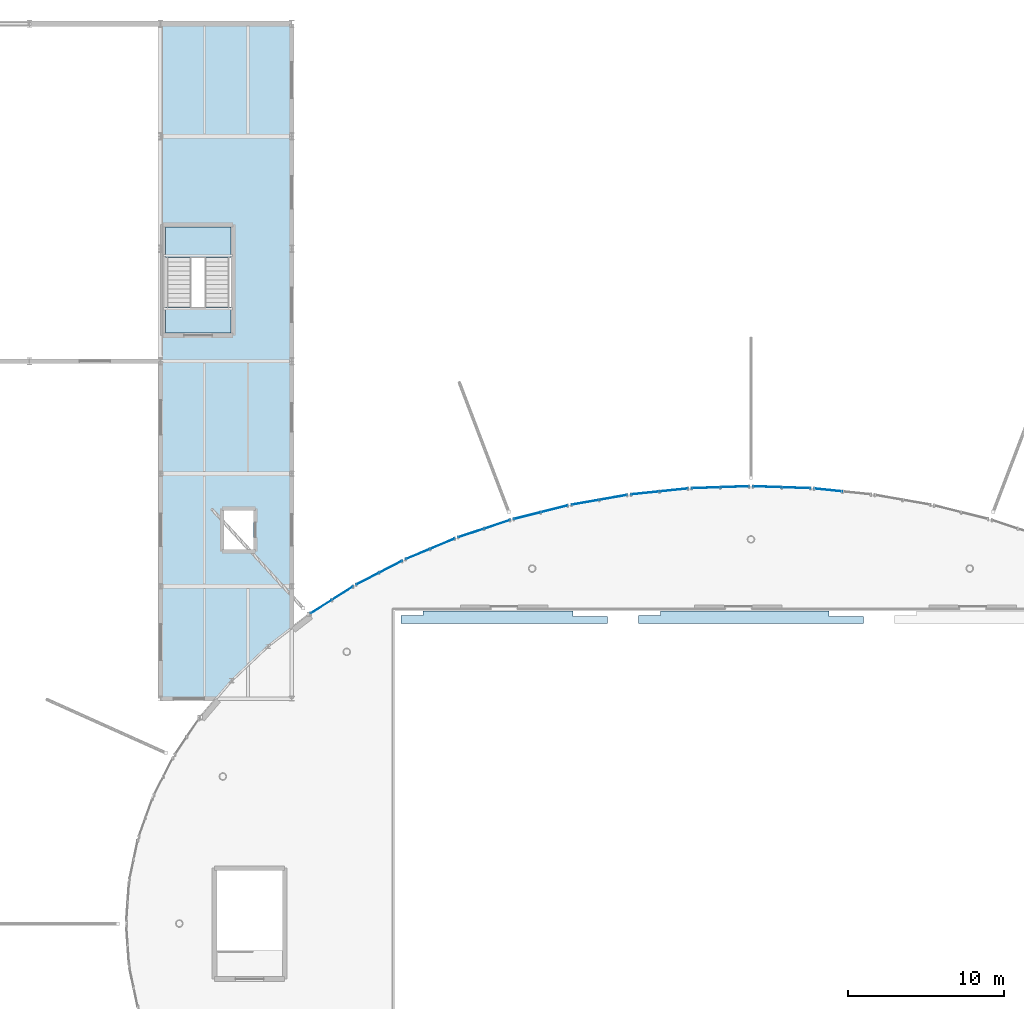
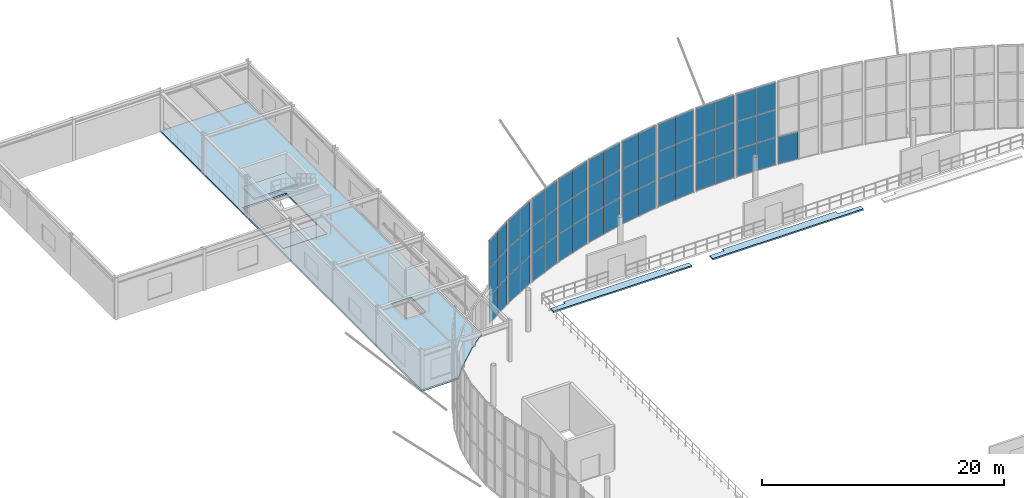
# One storey, part 51 of 109: 55 plates, 5 slabs, 11 elements without a shape of their own.
"""IFC4 building model written with IfcOpenShell, lengths in metres."""

import ifcopenshell
import ifcopenshell.guid

model = None  # the IFC model being written
_history = None  # IfcOwnerHistory: only IFC2X3 demands one
_inside = {}  # id of a spatial element -> (the spatial element, [elements in it])
_under = {}  # id of a project, library or spatial element -> (it, [spatial elements below it])
_declared = {}  # id of a project -> (the project, [libraries it declares])
_typed = {}  # id of a type object -> (the type object, [elements of that type])
_made_of = {}  # id of a material, layer set ... -> (it, [elements and type objects made of it])


def new_model(schema):
    """Start an empty IFC model of exactly this schema.

    Asked for "IFC4X3", IfcOpenShell would pick the latest addendum, in which some entities
    have other attributes; the version numbers below select the first issue.
    IFC2X3 requires an IfcOwnerHistory on every rooted entity: one is made here for all.
    """
    global model, _history
    if schema == "IFC4X3":
        model = ifcopenshell.file(schema_version=(4, 3, 0, 0))
    else:
        model = ifcopenshell.file(schema=schema)
    _inside.clear()
    _under.clear()
    _declared.clear()
    _typed.clear()
    _made_of.clear()
    _history = None
    if model.schema == "IFC2X3":
        org = make("IfcOrganization", Name="unknown")
        user = make(
            "IfcPersonAndOrganization",
            ThePerson=make("IfcPerson", FamilyName="unknown"),
            TheOrganization=org,
        )
        app = make(
            "IfcApplication",
            ApplicationDeveloper=org,
            Version="unknown",
            ApplicationFullName="unknown",
            ApplicationIdentifier="unknown",
        )
        _history = make(
            "IfcOwnerHistory",
            OwningUser=user,
            OwningApplication=app,
            ChangeAction="ADDED",
            CreationDate=0,
        )
    return model


def make(cls, **values):
    """One entity of the class cls with the attributes given. An attribute that is None is left unset."""
    return model.create_entity(
        cls, **{name: value for name, value in values.items() if value is not None}
    )


def rooted(cls, **values):
    """An entity with a GlobalId (a new one), such as an element, a storey or a relation."""
    return make(cls, GlobalId=ifcopenshell.guid.new(), OwnerHistory=_history, **values)


def si_unit(unit_type, name, prefix=None):
    """IfcSIUnit, for example si_unit("LENGTHUNIT", "METRE", prefix="MILLI")."""
    return make("IfcSIUnit", UnitType=unit_type, Prefix=prefix, Name=name)


def derived_unit(unit_type, elements):
    """IfcDerivedUnit: a product of units, each with its exponent."""
    return make(
        "IfcDerivedUnit",
        Elements=[
            make("IfcDerivedUnitElement", Unit=unit, Exponent=power)
            for unit, power in elements
        ],
        UnitType=unit_type,
    )


def assignment(units):
    """IfcUnitAssignment: the units of a project."""
    return None if units is None else make("IfcUnitAssignment", Units=units)


def point(xyz):
    """IfcCartesianPoint."""
    return None if xyz is None else make("IfcCartesianPoint", Coordinates=xyz)


def direction(xyz):
    """IfcDirection."""
    return None if xyz is None else make("IfcDirection", DirectionRatios=xyz)


def frame(location, z_axis=None, x_axis=None):
    """IfcAxis2Placement3D, a coordinate frame: its origin and axes. An axis left out is left unset."""
    return make(
        "IfcAxis2Placement3D",
        Location=point(location),
        Axis=direction(z_axis),
        RefDirection=direction(x_axis),
    )


def frame_2d(location, x_axis=None):
    """IfcAxis2Placement2D, a coordinate frame in the plane: its origin and x axis."""
    return make(
        "IfcAxis2Placement2D", Location=point(location), RefDirection=direction(x_axis)
    )


def origin():
    """The frame at (0, 0, 0) with its axes left unset."""
    return frame((0.0, 0.0, 0.0))


def origin_2d():
    """The frame at (0, 0) in the plane with its x axis left unset."""
    return frame_2d((0.0, 0.0))


def place(relative_to, where):
    """IfcLocalPlacement: puts the frame where relative to a parent placement (None: the world)."""
    return make(
        "IfcLocalPlacement", PlacementRelTo=relative_to, RelativePlacement=where
    )


def context(
    kind, dimensions, precision=None, world=None, true_north=None, identifier=None
):
    """IfcGeometricRepresentationContext, for example the 3D "Model" context."""
    return make(
        "IfcGeometricRepresentationContext",
        ContextIdentifier=identifier,
        ContextType=kind,
        CoordinateSpaceDimension=dimensions,
        Precision=precision,
        WorldCoordinateSystem=world,
        TrueNorth=true_north,
    )


def subcontext(parent, identifier, kind, view, scale=None):
    """IfcGeometricRepresentationSubContext, for example "Body" below "Model"."""
    return make(
        "IfcGeometricRepresentationSubContext",
        ContextIdentifier=identifier,
        ContextType=kind,
        ParentContext=parent,
        TargetScale=scale,
        TargetView=view,
    )


def project(units=None, contexts=None):
    """IfcProject with its units and contexts."""
    return rooted(
        "IfcProject",
        Name="project",
        RepresentationContexts=contexts,
        UnitsInContext=assignment(units),
    )


def spatial(cls, under=None, at=None, **own):
    """A site, building, storey or space (cls), placed at a placement, below another one or the project."""
    s = rooted(cls, ObjectPlacement=at, **own)
    if under is not None:
        _under.setdefault(under.id(), (under, []))[1].append(s)
    return s


def polyline(points):
    """IfcPolyline through the points."""
    return make("IfcPolyline", Points=[point(p) for p in points])


def profile(cls, at=None, kind="AREA", **sizes):
    """A parametric profile (cls). Its sizes go by their IFC names, for example OverallWidth=200.0."""
    return make(cls, ProfileType=kind, Position=at, **sizes)


def rectangle(**sizes):
    """IfcRectangleProfileDef."""
    return profile("IfcRectangleProfileDef", **sizes)


def outline(outer, holes=None, kind="AREA"):
    """IfcArbitraryClosedProfileDef: a profile drawn as a closed curve; with holes, ...WithVoids."""
    if holes is None:
        return make("IfcArbitraryClosedProfileDef", ProfileType=kind, OuterCurve=outer)
    return make(
        "IfcArbitraryProfileDefWithVoids",
        ProfileType=kind,
        OuterCurve=outer,
        InnerCurves=holes,
    )


def extrude(swept, where, along, depth):
    """IfcExtrudedAreaSolid: the profile swept, set in the frame where, extruded along a direction by depth."""
    return make(
        "IfcExtrudedAreaSolid",
        SweptArea=swept,
        Position=where,
        ExtrudedDirection=direction(along),
        Depth=depth,
    )


def shape(context_of_items, identifier, shape_type, items):
    """IfcShapeRepresentation: the items that make up one representation, for example the "Body"."""
    return make(
        "IfcShapeRepresentation",
        ContextOfItems=context_of_items,
        RepresentationIdentifier=identifier,
        RepresentationType=shape_type,
        Items=items,
    )


def material(Name=None, Category=None):
    """IfcMaterial."""
    return make("IfcMaterial", Name=Name, Category=Category)


def layer(
    of_material, thickness, ventilated=None, Name=None, Category=None, Priority=None
):
    """IfcMaterialLayer: one layer of a wall or slab, of a material (None: an air gap)."""
    return make(
        "IfcMaterialLayer",
        Material=of_material,
        LayerThickness=thickness,
        IsVentilated=ventilated,
        Name=Name,
        Category=Category,
        Priority=Priority,
    )


def layer_set(layers, Name=None):
    """IfcMaterialLayerSet."""
    return make("IfcMaterialLayerSet", MaterialLayers=layers, LayerSetName=Name)


def made_of(thing, what):
    """Note that an element or type object is made of a material, layer set ...; save() writes the relation."""
    if what is not None:
        _made_of.setdefault(what.id(), (what, []))[1].append(thing)
    return thing


def type_object(cls, material=None, **own):
    """A type object (cls), such as IfcWallType, which elements share."""
    return made_of(rooted(cls, **own), material)


def element(
    cls,
    number,
    at=None,
    inside=None,
    cuts=None,
    type_object=None,
    material=None,
    context=None,
    identifier="Body",
    shape_type=None,
    held_by="IfcProductDefinitionShape",
    body=None,
    shapes=None,
    **own,
):
    """One element of the class cls, such as IfcWall. Its Tag is "e" and its number.

    at: its placement. inside: the storey or other place that contains it. cuts: it is an
    opening in that element (IfcRelVoidsElement). A single representation is given by context,
    identifier, shape_type and body (its items); several are given by shapes. held_by: the class
    of the entity that holds the representations. save() writes the other relations.
    """
    e = rooted(cls, Tag="e%d" % number, ObjectPlacement=at, **own)
    if body is not None:
        shapes = [shape(context, identifier, shape_type, body)]
    if shapes is not None:
        e.Representation = make(held_by, Representations=shapes)
    if inside is not None:
        _inside.setdefault(inside.id(), (inside, []))[1].append(e)
    if cuts is not None:
        rooted(
            "IfcRelVoidsElement", RelatingBuildingElement=cuts, RelatedOpeningElement=e
        )
    if type_object is not None:
        _typed.setdefault(type_object.id(), (type_object, []))[1].append(e)
    return made_of(e, material)


def aggregate(whole, parts):
    """IfcRelAggregates: a whole, such as a stair, and the parts it consists of."""
    return rooted("IfcRelAggregates", RelatingObject=whole, RelatedObjects=parts)


def save(model, path):
    """Write the relations noted so far, then the file.

    IfcRelAggregates (storeys below a building ...), IfcRelContainedInSpatialStructure (elements
    in a storey), IfcRelDefinesByType, IfcRelAssociatesMaterial and IfcRelDeclares: one each for
    every whole, place, type object, material and project.
    """
    for whole, parts in _under.values():
        aggregate(whole, parts)
    for where, things in _inside.values():
        rooted(
            "IfcRelContainedInSpatialStructure",
            RelatedElements=things,
            RelatingStructure=where,
        )
    for kind, things in _typed.values():
        rooted("IfcRelDefinesByType", RelatedObjects=things, RelatingType=kind)
    for what, things in _made_of.values():
        rooted("IfcRelAssociatesMaterial", RelatedObjects=things, RelatingMaterial=what)
    for by, libraries in _declared.values():
        rooted("IfcRelDeclares", RelatingContext=by, RelatedDefinitions=libraries)
    model.write(path)


model = new_model("IFC4")

# Units and contexts
model_context = context("Model", 3, precision=1e-05, world=origin(), true_north=direction((0.0, 1.0)))
body_context = subcontext(model_context, "Body", "Model", "MODEL_VIEW")
ifc_project = project(units=[si_unit("LENGTHUNIT", "METRE"), si_unit("AREAUNIT", "SQUARE_METRE"), si_unit("VOLUMEUNIT", "CUBIC_METRE"), si_unit("PLANEANGLEUNIT", "RADIAN"), si_unit("MASSUNIT", "GRAM", prefix="KILO"), derived_unit("THERMALTRANSMITTANCEUNIT", [(si_unit("MASSUNIT", "GRAM", prefix="KILO"), 1), (si_unit("TIMEUNIT", "SECOND"), -3), (si_unit("THERMODYNAMICTEMPERATUREUNIT", "KELVIN"), -1)])], contexts=[model_context])

# Site, building, storey
site_placement = place(None, origin())
site = spatial("IfcSite", under=ifc_project, at=site_placement, CompositionType="ELEMENT")
building_placement = place(site_placement, origin())
building = spatial("IfcBuilding", under=site, at=building_placement, Name="Kharveza Railside Sports Centre", CompositionType="ELEMENT")
storey_placement = place(building_placement, frame((0.0, 0.0, 4.5)))
storey = spatial("IfcBuildingStorey", under=building, at=storey_placement, Name="L01", CompositionType="ELEMENT", Elevation=4.5)

# Curtain wall, plate
ifc_material_1 = material(Name="Low-E solar-control laminated glass", Category="glass")
curtain_wall_type = type_object("IfcCurtainWallType", Name="CW-DR01", PredefinedType="NOTDEFINED", material=ifc_material_1)
curtain_wall_1_placement = place(storey_placement, origin())
curtain_wall_1 = element("IfcCurtainWall", 1, at=curtain_wall_1_placement, inside=storey, type_object=curtain_wall_type, Name="CW-DRUM-15", PredefinedType="NOTDEFINED")
ifc_layer_1 = layer(ifc_material_1, 0.035888671875, Name="Low-E solar-control laminated glass")
ifc_layer_set_1 = layer_set([ifc_layer_1], Name="Low-E solar-control laminated glass")
plate_type = type_object("IfcPlateType", Name="PL-CP01", PredefinedType="CURTAIN_PANEL", material=ifc_layer_set_1)
plate_1_placement = place(storey_placement, frame((59.551025390625, 78.158203125, 0.02001953125), z_axis=(0.0, 0.0, 1.0), x_axis=(-0.994652464432, 0.103278627992, 0.0)))
plate_1 = element("IfcPlate", 2, at=plate_1_placement, type_object=plate_type, Name="CW-DRUM-15-PN21", PredefinedType="CURTAIN_PANEL", context=body_context, shape_type="SweptSolid", body=[
    extrude(rectangle(XDim=1.7919921875, YDim=0.035888671875, at=origin_2d()), origin(), (0.0, 0.0, 1.0), 2.760009765625),
])
aggregate(curtain_wall_1, [plate_1])

# Curtain wall, plates
curtain_wall_2_placement = place(storey_placement, origin())
curtain_wall_2 = element("IfcCurtainWall", 3, at=curtain_wall_2_placement, inside=storey, type_object=curtain_wall_type, Name="CW-DRUM-16", PredefinedType="NOTDEFINED")
plate_2_placement = place(storey_placement, frame((57.48046875, 78.30078125, 0.02001953125), z_axis=(0.0, 0.0, 1.0), x_axis=(-0.999408963358, 0.034376212129, 0.0)))
plate_2 = element("IfcPlate", 4, at=plate_2_placement, type_object=plate_type, Name="CW-DRUM-16-PN11", PredefinedType="CURTAIN_PANEL", context=body_context, shape_type="SweptSolid", body=[
    extrude(rectangle(XDim=1.801513671875, YDim=0.035888671875, at=origin_2d()), origin(), (0.0, 0.0, 1.0), 2.760009765625),
])
plate_3_placement = place(storey_placement, frame((57.48046875, 78.30078125, 2.81982421875), z_axis=(0.0, 0.0, 1.0), x_axis=(-0.999408963358, 0.034376212129, 0.0)))
plate_3 = element("IfcPlate", 5, at=plate_3_placement, type_object=plate_type, Name="CW-DRUM-16-PN12", PredefinedType="CURTAIN_PANEL", context=body_context, shape_type="SweptSolid", body=[
    extrude(rectangle(XDim=1.801513671875, YDim=0.035888671875, at=origin_2d()), origin(), (0.0, 0.0, 1.0), 2.760009765625),
])
plate_4_placement = place(storey_placement, frame((57.48046875, 78.30078125, 5.6201171875), z_axis=(0.0, 0.0, 1.0), x_axis=(-0.999408963358, 0.034376212129, 0.0)))
plate_4 = element("IfcPlate", 6, at=plate_4_placement, type_object=plate_type, Name="CW-DRUM-16-PN13", PredefinedType="CURTAIN_PANEL", context=body_context, shape_type="SweptSolid", body=[
    extrude(rectangle(XDim=1.801513671875, YDim=0.035888671875, at=origin_2d()), origin(), (0.0, 0.0, 1.0), 2.760009765625),
])
plate_5_placement = place(storey_placement, frame((55.64013671875, 78.3642578125, 0.02001953125), z_axis=(0.0, 0.0, 1.0), x_axis=(-0.999408963358, 0.034376212129, 0.0)))
plate_5 = element("IfcPlate", 7, at=plate_5_placement, type_object=plate_type, Name="CW-DRUM-16-PN21", PredefinedType="CURTAIN_PANEL", context=body_context, shape_type="SweptSolid", body=[
    extrude(rectangle(XDim=1.801513671875, YDim=0.035888671875, at=origin_2d()), origin(), (0.0, 0.0, 1.0), 2.760009765625),
])
plate_6_placement = place(storey_placement, frame((55.64013671875, 78.3642578125, 2.81982421875), z_axis=(0.0, 0.0, 1.0), x_axis=(-0.999408963358, 0.034376212129, 0.0)))
plate_6 = element("IfcPlate", 8, at=plate_6_placement, type_object=plate_type, Name="CW-DRUM-16-PN22", PredefinedType="CURTAIN_PANEL", context=body_context, shape_type="SweptSolid", body=[
    extrude(rectangle(XDim=1.801513671875, YDim=0.035888671875, at=origin_2d()), origin(), (0.0, 0.0, 1.0), 2.760009765625),
])
plate_7_placement = place(storey_placement, frame((55.64013671875, 78.3642578125, 5.6201171875), z_axis=(0.0, 0.0, 1.0), x_axis=(-0.999408963358, 0.034376212129, 0.0)))
plate_7 = element("IfcPlate", 9, at=plate_7_placement, type_object=plate_type, Name="CW-DRUM-16-PN23", PredefinedType="CURTAIN_PANEL", context=body_context, shape_type="SweptSolid", body=[
    extrude(rectangle(XDim=1.801513671875, YDim=0.035888671875, at=origin_2d()), origin(), (0.0, 0.0, 1.0), 2.760009765625),
])
aggregate(curtain_wall_2, [plate_2, plate_3, plate_4, plate_5, plate_6, plate_7])

curtain_wall_3_placement = place(storey_placement, origin())
curtain_wall_3 = element("IfcCurtainWall", 10, at=curtain_wall_3_placement, inside=storey, type_object=curtain_wall_type, Name="CW-DRUM-17", PredefinedType="NOTDEFINED")
plate_8_placement = place(storey_placement, frame((53.559814453125, 78.3642578125, 0.02001953125), z_axis=(0.0, 0.0, 1.0), x_axis=(-0.999408963358, -0.034376212129, 0.0)))
plate_8 = element("IfcPlate", 11, at=plate_8_placement, type_object=plate_type, Name="CW-DRUM-17-PN11", PredefinedType="CURTAIN_PANEL", context=body_context, shape_type="SweptSolid", body=[
    extrude(rectangle(XDim=1.801513671875, YDim=0.035888671875, at=origin_2d()), origin(), (0.0, 0.0, 1.0), 2.760009765625),
])
plate_9_placement = place(storey_placement, frame((53.559814453125, 78.3642578125, 2.81982421875), z_axis=(0.0, 0.0, 1.0), x_axis=(-0.999408963358, -0.034376212129, 0.0)))
plate_9 = element("IfcPlate", 12, at=plate_9_placement, type_object=plate_type, Name="CW-DRUM-17-PN12", PredefinedType="CURTAIN_PANEL", context=body_context, shape_type="SweptSolid", body=[
    extrude(rectangle(XDim=1.801513671875, YDim=0.035888671875, at=origin_2d()), origin(), (0.0, 0.0, 1.0), 2.760009765625),
])
plate_10_placement = place(storey_placement, frame((53.559814453125, 78.3642578125, 5.6201171875), z_axis=(0.0, 0.0, 1.0), x_axis=(-0.999408963358, -0.034376212129, 0.0)))
plate_10 = element("IfcPlate", 13, at=plate_10_placement, type_object=plate_type, Name="CW-DRUM-17-PN13", PredefinedType="CURTAIN_PANEL", context=body_context, shape_type="SweptSolid", body=[
    extrude(rectangle(XDim=1.801513671875, YDim=0.035888671875, at=origin_2d()), origin(), (0.0, 0.0, 1.0), 2.760009765625),
])
plate_11_placement = place(storey_placement, frame((51.719482421875, 78.30078125, 0.02001953125), z_axis=(0.0, 0.0, 1.0), x_axis=(-0.999408963358, -0.034376212129, 0.0)))
plate_11 = element("IfcPlate", 14, at=plate_11_placement, type_object=plate_type, Name="CW-DRUM-17-PN21", PredefinedType="CURTAIN_PANEL", context=body_context, shape_type="SweptSolid", body=[
    extrude(rectangle(XDim=1.801513671875, YDim=0.035888671875, at=origin_2d()), origin(), (0.0, 0.0, 1.0), 2.760009765625),
])
plate_12_placement = place(storey_placement, frame((51.719482421875, 78.30078125, 2.81982421875), z_axis=(0.0, 0.0, 1.0), x_axis=(-0.999408963358, -0.034376212129, 0.0)))
plate_12 = element("IfcPlate", 15, at=plate_12_placement, type_object=plate_type, Name="CW-DRUM-17-PN22", PredefinedType="CURTAIN_PANEL", context=body_context, shape_type="SweptSolid", body=[
    extrude(rectangle(XDim=1.801513671875, YDim=0.035888671875, at=origin_2d()), origin(), (0.0, 0.0, 1.0), 2.760009765625),
])
plate_13_placement = place(storey_placement, frame((51.719482421875, 78.30078125, 5.6201171875), z_axis=(0.0, 0.0, 1.0), x_axis=(-0.999408963358, -0.034376212129, 0.0)))
plate_13 = element("IfcPlate", 16, at=plate_13_placement, type_object=plate_type, Name="CW-DRUM-17-PN23", PredefinedType="CURTAIN_PANEL", context=body_context, shape_type="SweptSolid", body=[
    extrude(rectangle(XDim=1.801513671875, YDim=0.035888671875, at=origin_2d()), origin(), (0.0, 0.0, 1.0), 2.760009765625),
])
aggregate(curtain_wall_3, [plate_8, plate_9, plate_10, plate_11, plate_12, plate_13])

curtain_wall_4_placement = place(storey_placement, origin())
curtain_wall_4 = element("IfcCurtainWall", 17, at=curtain_wall_4_placement, inside=storey, type_object=curtain_wall_type, Name="CW-DRUM-18", PredefinedType="NOTDEFINED")
plate_14_placement = place(storey_placement, frame((49.64892578125, 78.158203125, 0.02001953125), z_axis=(0.0, 0.0, 1.0), x_axis=(-0.994652464432, -0.103278627992, 0.0)))
plate_14 = element("IfcPlate", 18, at=plate_14_placement, type_object=plate_type, Name="CW-DRUM-18-PN11", PredefinedType="CURTAIN_PANEL", context=body_context, shape_type="SweptSolid", body=[
    extrude(rectangle(XDim=1.7919921875, YDim=0.035888671875, at=origin_2d()), origin(), (0.0, 0.0, 1.0), 2.760009765625),
])
plate_15_placement = place(storey_placement, frame((49.64892578125, 78.158203125, 2.81982421875), z_axis=(0.0, 0.0, 1.0), x_axis=(-0.994652464432, -0.103278627992, 0.0)))
plate_15 = element("IfcPlate", 19, at=plate_15_placement, type_object=plate_type, Name="CW-DRUM-18-PN12", PredefinedType="CURTAIN_PANEL", context=body_context, shape_type="SweptSolid", body=[
    extrude(rectangle(XDim=1.7919921875, YDim=0.035888671875, at=origin_2d()), origin(), (0.0, 0.0, 1.0), 2.760009765625),
])
plate_16_placement = place(storey_placement, frame((49.64892578125, 78.158203125, 5.6201171875), z_axis=(0.0, 0.0, 1.0), x_axis=(-0.994652464432, -0.103278627992, 0.0)))
plate_16 = element("IfcPlate", 20, at=plate_16_placement, type_object=plate_type, Name="CW-DRUM-18-PN13", PredefinedType="CURTAIN_PANEL", context=body_context, shape_type="SweptSolid", body=[
    extrude(rectangle(XDim=1.7919921875, YDim=0.035888671875, at=origin_2d()), origin(), (0.0, 0.0, 1.0), 2.760009765625),
])
plate_17_placement = place(storey_placement, frame((47.826904296875, 77.968994140625, 0.02001953125), z_axis=(0.0, 0.0, 1.0), x_axis=(-0.994652464432, -0.103278627992, 0.0)))
plate_17 = element("IfcPlate", 21, at=plate_17_placement, type_object=plate_type, Name="CW-DRUM-18-PN21", PredefinedType="CURTAIN_PANEL", context=body_context, shape_type="SweptSolid", body=[
    extrude(rectangle(XDim=1.7919921875, YDim=0.035888671875, at=origin_2d()), origin(), (0.0, 0.0, 1.0), 2.760009765625),
])
plate_18_placement = place(storey_placement, frame((47.826904296875, 77.968994140625, 2.81982421875), z_axis=(0.0, 0.0, 1.0), x_axis=(-0.994652464432, -0.103278627992, 0.0)))
plate_18 = element("IfcPlate", 22, at=plate_18_placement, type_object=plate_type, Name="CW-DRUM-18-PN22", PredefinedType="CURTAIN_PANEL", context=body_context, shape_type="SweptSolid", body=[
    extrude(rectangle(XDim=1.7919921875, YDim=0.035888671875, at=origin_2d()), origin(), (0.0, 0.0, 1.0), 2.760009765625),
])
plate_19_placement = place(storey_placement, frame((47.826904296875, 77.968994140625, 5.6201171875), z_axis=(0.0, 0.0, 1.0), x_axis=(-0.994652464432, -0.103278627992, 0.0)))
plate_19 = element("IfcPlate", 23, at=plate_19_placement, type_object=plate_type, Name="CW-DRUM-18-PN23", PredefinedType="CURTAIN_PANEL", context=body_context, shape_type="SweptSolid", body=[
    extrude(rectangle(XDim=1.7919921875, YDim=0.035888671875, at=origin_2d()), origin(), (0.0, 0.0, 1.0), 2.760009765625),
])
aggregate(curtain_wall_4, [plate_14, plate_15, plate_16, plate_17, plate_18, plate_19])

curtain_wall_5_placement = place(storey_placement, origin())
curtain_wall_5 = element("IfcCurtainWall", 24, at=curtain_wall_5_placement, inside=storey, type_object=curtain_wall_type, Name="CW-DRUM-19", PredefinedType="NOTDEFINED")
plate_20_placement = place(storey_placement, frame((45.785400390625, 77.684814453125, 0.02001953125), z_axis=(0.0, 0.0, 1.0), x_axis=(-0.984973989537, -0.172702750228, 0.0)))
plate_20 = element("IfcPlate", 25, at=plate_20_placement, type_object=plate_type, Name="CW-DRUM-19-PN11", PredefinedType="CURTAIN_PANEL", context=body_context, shape_type="SweptSolid", body=[
    extrude(rectangle(XDim=1.77294921875, YDim=0.035888671875, at=origin_2d()), origin(), (0.0, 0.0, 1.0), 2.760009765625),
])
plate_21_placement = place(storey_placement, frame((45.785400390625, 77.684814453125, 2.81982421875), z_axis=(0.0, 0.0, 1.0), x_axis=(-0.984973989537, -0.172702750228, 0.0)))
plate_21 = element("IfcPlate", 26, at=plate_21_placement, type_object=plate_type, Name="CW-DRUM-19-PN12", PredefinedType="CURTAIN_PANEL", context=body_context, shape_type="SweptSolid", body=[
    extrude(rectangle(XDim=1.77294921875, YDim=0.035888671875, at=origin_2d()), origin(), (0.0, 0.0, 1.0), 2.760009765625),
])
plate_22_placement = place(storey_placement, frame((45.785400390625, 77.684814453125, 5.6201171875), z_axis=(0.0, 0.0, 1.0), x_axis=(-0.984973989537, -0.172702750228, 0.0)))
plate_22 = element("IfcPlate", 27, at=plate_22_placement, type_object=plate_type, Name="CW-DRUM-19-PN13", PredefinedType="CURTAIN_PANEL", context=body_context, shape_type="SweptSolid", body=[
    extrude(rectangle(XDim=1.77294921875, YDim=0.035888671875, at=origin_2d()), origin(), (0.0, 0.0, 1.0), 2.760009765625),
])
plate_23_placement = place(storey_placement, frame((43.999755859375, 77.37158203125, 0.02001953125), z_axis=(0.0, 0.0, 1.0), x_axis=(-0.984973989537, -0.172702750228, 0.0)))
plate_23 = element("IfcPlate", 28, at=plate_23_placement, type_object=plate_type, Name="CW-DRUM-19-PN21", PredefinedType="CURTAIN_PANEL", context=body_context, shape_type="SweptSolid", body=[
    extrude(rectangle(XDim=1.77294921875, YDim=0.035888671875, at=origin_2d()), origin(), (0.0, 0.0, 1.0), 2.760009765625),
])
plate_24_placement = place(storey_placement, frame((43.999755859375, 77.37158203125, 2.81982421875), z_axis=(0.0, 0.0, 1.0), x_axis=(-0.984973989537, -0.172702750228, 0.0)))
plate_24 = element("IfcPlate", 29, at=plate_24_placement, type_object=plate_type, Name="CW-DRUM-19-PN22", PredefinedType="CURTAIN_PANEL", context=body_context, shape_type="SweptSolid", body=[
    extrude(rectangle(XDim=1.77294921875, YDim=0.035888671875, at=origin_2d()), origin(), (0.0, 0.0, 1.0), 2.760009765625),
])
plate_25_placement = place(storey_placement, frame((43.999755859375, 77.37158203125, 5.6201171875), z_axis=(0.0, 0.0, 1.0), x_axis=(-0.984973989537, -0.172702750228, 0.0)))
plate_25 = element("IfcPlate", 30, at=plate_25_placement, type_object=plate_type, Name="CW-DRUM-19-PN23", PredefinedType="CURTAIN_PANEL", context=body_context, shape_type="SweptSolid", body=[
    extrude(rectangle(XDim=1.77294921875, YDim=0.035888671875, at=origin_2d()), origin(), (0.0, 0.0, 1.0), 2.760009765625),
])
aggregate(curtain_wall_5, [plate_20, plate_21, plate_22, plate_23, plate_24, plate_25])

curtain_wall_6_placement = place(storey_placement, origin())
curtain_wall_6 = element("IfcCurtainWall", 31, at=curtain_wall_6_placement, inside=storey, type_object=curtain_wall_type, Name="CW-DRUM-20", PredefinedType="NOTDEFINED")
plate_26_placement = place(storey_placement, frame((42.00634765625, 76.9482421875, 0.02001953125), z_axis=(0.0, 0.0, 1.0), x_axis=(-0.970037614068, -0.242954784461, 0.0)))
plate_26 = element("IfcPlate", 32, at=plate_26_placement, type_object=plate_type, Name="CW-DRUM-20-PN11", PredefinedType="CURTAIN_PANEL", context=body_context, shape_type="SweptSolid", body=[
    extrude(rectangle(XDim=1.7451171875, YDim=0.035888671875, at=origin_2d()), origin(), (0.0, 0.0, 1.0), 2.760009765625),
])
plate_27_placement = place(storey_placement, frame((42.00634765625, 76.9482421875, 2.81982421875), z_axis=(0.0, 0.0, 1.0), x_axis=(-0.970037614068, -0.242954784461, 0.0)))
plate_27 = element("IfcPlate", 33, at=plate_27_placement, type_object=plate_type, Name="CW-DRUM-20-PN12", PredefinedType="CURTAIN_PANEL", context=body_context, shape_type="SweptSolid", body=[
    extrude(rectangle(XDim=1.7451171875, YDim=0.035888671875, at=origin_2d()), origin(), (0.0, 0.0, 1.0), 2.760009765625),
])
plate_28_placement = place(storey_placement, frame((42.00634765625, 76.9482421875, 5.6201171875), z_axis=(0.0, 0.0, 1.0), x_axis=(-0.970037614068, -0.242954784461, 0.0)))
plate_28 = element("IfcPlate", 34, at=plate_28_placement, type_object=plate_type, Name="CW-DRUM-20-PN13", PredefinedType="CURTAIN_PANEL", context=body_context, shape_type="SweptSolid", body=[
    extrude(rectangle(XDim=1.7451171875, YDim=0.035888671875, at=origin_2d()), origin(), (0.0, 0.0, 1.0), 2.760009765625),
])
plate_29_placement = place(storey_placement, frame((40.27490234375, 76.5146484375, 0.02001953125), z_axis=(0.0, 0.0, 1.0), x_axis=(-0.970037614068, -0.242954784461, 0.0)))
plate_29 = element("IfcPlate", 35, at=plate_29_placement, type_object=plate_type, Name="CW-DRUM-20-PN21", PredefinedType="CURTAIN_PANEL", context=body_context, shape_type="SweptSolid", body=[
    extrude(rectangle(XDim=1.7451171875, YDim=0.035888671875, at=origin_2d()), origin(), (0.0, 0.0, 1.0), 2.760009765625),
])
plate_30_placement = place(storey_placement, frame((40.27490234375, 76.5146484375, 2.81982421875), z_axis=(0.0, 0.0, 1.0), x_axis=(-0.970037614068, -0.242954784461, 0.0)))
plate_30 = element("IfcPlate", 36, at=plate_30_placement, type_object=plate_type, Name="CW-DRUM-20-PN22", PredefinedType="CURTAIN_PANEL", context=body_context, shape_type="SweptSolid", body=[
    extrude(rectangle(XDim=1.7451171875, YDim=0.035888671875, at=origin_2d()), origin(), (0.0, 0.0, 1.0), 2.760009765625),
])
plate_31_placement = place(storey_placement, frame((40.27490234375, 76.5146484375, 5.6201171875), z_axis=(0.0, 0.0, 1.0), x_axis=(-0.970037614068, -0.242954784461, 0.0)))
plate_31 = element("IfcPlate", 37, at=plate_31_placement, type_object=plate_type, Name="CW-DRUM-20-PN23", PredefinedType="CURTAIN_PANEL", context=body_context, shape_type="SweptSolid", body=[
    extrude(rectangle(XDim=1.7451171875, YDim=0.035888671875, at=origin_2d()), origin(), (0.0, 0.0, 1.0), 2.760009765625),
])
aggregate(curtain_wall_6, [plate_26, plate_27, plate_28, plate_29, plate_30, plate_31])

curtain_wall_7_placement = place(storey_placement, origin())
curtain_wall_7 = element("IfcCurtainWall", 38, at=curtain_wall_7_placement, inside=storey, type_object=curtain_wall_type, Name="CW-DRUM-21", PredefinedType="NOTDEFINED")
plate_32_placement = place(storey_placement, frame((38.3486328125, 75.9560546875, 0.02001953125), z_axis=(0.0, 0.0, 1.0), x_axis=(-0.949326787152, -0.314290711278, 0.0)))
plate_32 = element("IfcPlate", 39, at=plate_32_placement, type_object=plate_type, Name="CW-DRUM-21-PN11", PredefinedType="CURTAIN_PANEL", context=body_context, shape_type="SweptSolid", body=[
    extrude(rectangle(XDim=1.708984375, YDim=0.035888671875, at=origin_2d()), origin(), (0.0, 0.0, 1.0), 2.760009765625),
])
plate_33_placement = place(storey_placement, frame((38.3486328125, 75.9560546875, 2.81982421875), z_axis=(0.0, 0.0, 1.0), x_axis=(-0.949326787152, -0.314290711278, 0.0)))
plate_33 = element("IfcPlate", 40, at=plate_33_placement, type_object=plate_type, Name="CW-DRUM-21-PN12", PredefinedType="CURTAIN_PANEL", context=body_context, shape_type="SweptSolid", body=[
    extrude(rectangle(XDim=1.708984375, YDim=0.035888671875, at=origin_2d()), origin(), (0.0, 0.0, 1.0), 2.760009765625),
])
plate_34_placement = place(storey_placement, frame((38.3486328125, 75.9560546875, 5.6201171875), z_axis=(0.0, 0.0, 1.0), x_axis=(-0.949326787152, -0.314290711278, 0.0)))
plate_34 = element("IfcPlate", 41, at=plate_34_placement, type_object=plate_type, Name="CW-DRUM-21-PN13", PredefinedType="CURTAIN_PANEL", context=body_context, shape_type="SweptSolid", body=[
    extrude(rectangle(XDim=1.708984375, YDim=0.035888671875, at=origin_2d()), origin(), (0.0, 0.0, 1.0), 2.760009765625),
])
plate_35_placement = place(storey_placement, frame((36.688232421875, 75.406494140625, 0.02001953125), z_axis=(0.0, 0.0, 1.0), x_axis=(-0.949326787152, -0.314290711278, 0.0)))
plate_35 = element("IfcPlate", 42, at=plate_35_placement, type_object=plate_type, Name="CW-DRUM-21-PN21", PredefinedType="CURTAIN_PANEL", context=body_context, shape_type="SweptSolid", body=[
    extrude(rectangle(XDim=1.708984375, YDim=0.035888671875, at=origin_2d()), origin(), (0.0, 0.0, 1.0), 2.760009765625),
])
plate_36_placement = place(storey_placement, frame((36.688232421875, 75.406494140625, 2.81982421875), z_axis=(0.0, 0.0, 1.0), x_axis=(-0.949326787152, -0.314290711278, 0.0)))
plate_36 = element("IfcPlate", 43, at=plate_36_placement, type_object=plate_type, Name="CW-DRUM-21-PN22", PredefinedType="CURTAIN_PANEL", context=body_context, shape_type="SweptSolid", body=[
    extrude(rectangle(XDim=1.708984375, YDim=0.035888671875, at=origin_2d()), origin(), (0.0, 0.0, 1.0), 2.760009765625),
])
plate_37_placement = place(storey_placement, frame((36.688232421875, 75.406494140625, 5.6201171875), z_axis=(0.0, 0.0, 1.0), x_axis=(-0.949326787152, -0.314290711278, 0.0)))
plate_37 = element("IfcPlate", 44, at=plate_37_placement, type_object=plate_type, Name="CW-DRUM-21-PN23", PredefinedType="CURTAIN_PANEL", context=body_context, shape_type="SweptSolid", body=[
    extrude(rectangle(XDim=1.708984375, YDim=0.035888671875, at=origin_2d()), origin(), (0.0, 0.0, 1.0), 2.760009765625),
])
aggregate(curtain_wall_7, [plate_32, plate_33, plate_34, plate_35, plate_36, plate_37])

curtain_wall_8_placement = place(storey_placement, origin())
curtain_wall_8 = element("IfcCurtainWall", 45, at=curtain_wall_8_placement, inside=storey, type_object=curtain_wall_type, Name="CW-DRUM-22", PredefinedType="NOTDEFINED")
plate_38_placement = place(storey_placement, frame((34.84716796875, 74.71728515625, 0.02001953125), z_axis=(0.0, 0.0, 1.0), x_axis=(-0.9221267115, -0.386888004385, 0.0)))
plate_38 = element("IfcPlate", 46, at=plate_38_placement, type_object=plate_type, Name="CW-DRUM-22-PN11", PredefinedType="CURTAIN_PANEL", context=body_context, shape_type="SweptSolid", body=[
    extrude(rectangle(XDim=1.66552734375, YDim=0.035888671875, at=origin_2d()), origin(), (0.0, 0.0, 1.0), 2.760009765625),
])
plate_39_placement = place(storey_placement, frame((34.84716796875, 74.71728515625, 2.81982421875), z_axis=(0.0, 0.0, 1.0), x_axis=(-0.9221267115, -0.386888004385, 0.0)))
plate_39 = element("IfcPlate", 47, at=plate_39_placement, type_object=plate_type, Name="CW-DRUM-22-PN12", PredefinedType="CURTAIN_PANEL", context=body_context, shape_type="SweptSolid", body=[
    extrude(rectangle(XDim=1.66552734375, YDim=0.035888671875, at=origin_2d()), origin(), (0.0, 0.0, 1.0), 2.760009765625),
])
plate_40_placement = place(storey_placement, frame((34.84716796875, 74.71728515625, 5.6201171875), z_axis=(0.0, 0.0, 1.0), x_axis=(-0.9221267115, -0.386888004385, 0.0)))
plate_40 = element("IfcPlate", 48, at=plate_40_placement, type_object=plate_type, Name="CW-DRUM-22-PN13", PredefinedType="CURTAIN_PANEL", context=body_context, shape_type="SweptSolid", body=[
    extrude(rectangle(XDim=1.66552734375, YDim=0.035888671875, at=origin_2d()), origin(), (0.0, 0.0, 1.0), 2.760009765625),
])
plate_41_placement = place(storey_placement, frame((33.2744140625, 74.0576171875, 0.02001953125), z_axis=(0.0, 0.0, 1.0), x_axis=(-0.9221267115, -0.386888004385, 0.0)))
plate_41 = element("IfcPlate", 49, at=plate_41_placement, type_object=plate_type, Name="CW-DRUM-22-PN21", PredefinedType="CURTAIN_PANEL", context=body_context, shape_type="SweptSolid", body=[
    extrude(rectangle(XDim=1.66552734375, YDim=0.035888671875, at=origin_2d()), origin(), (0.0, 0.0, 1.0), 2.760009765625),
])
plate_42_placement = place(storey_placement, frame((33.2744140625, 74.0576171875, 2.81982421875), z_axis=(0.0, 0.0, 1.0), x_axis=(-0.9221267115, -0.386888004385, 0.0)))
plate_42 = element("IfcPlate", 50, at=plate_42_placement, type_object=plate_type, Name="CW-DRUM-22-PN22", PredefinedType="CURTAIN_PANEL", context=body_context, shape_type="SweptSolid", body=[
    extrude(rectangle(XDim=1.66552734375, YDim=0.035888671875, at=origin_2d()), origin(), (0.0, 0.0, 1.0), 2.760009765625),
])
plate_43_placement = place(storey_placement, frame((33.2744140625, 74.0576171875, 5.6201171875), z_axis=(0.0, 0.0, 1.0), x_axis=(-0.9221267115, -0.386888004385, 0.0)))
plate_43 = element("IfcPlate", 51, at=plate_43_placement, type_object=plate_type, Name="CW-DRUM-22-PN23", PredefinedType="CURTAIN_PANEL", context=body_context, shape_type="SweptSolid", body=[
    extrude(rectangle(XDim=1.66552734375, YDim=0.035888671875, at=origin_2d()), origin(), (0.0, 0.0, 1.0), 2.760009765625),
])
aggregate(curtain_wall_8, [plate_38, plate_39, plate_40, plate_41, plate_42, plate_43])

curtain_wall_9_placement = place(storey_placement, origin())
curtain_wall_9 = element("IfcCurtainWall", 52, at=curtain_wall_9_placement, inside=storey, type_object=curtain_wall_type, Name="CW-DRUM-23", PredefinedType="NOTDEFINED")
plate_44_placement = place(storey_placement, frame((31.53564453125, 73.244384765625, 0.02001953125), z_axis=(0.0, 0.0, 1.0), x_axis=(-0.887526057855, -0.460757524766, 0.0)))
plate_44 = element("IfcPlate", 53, at=plate_44_placement, type_object=plate_type, Name="CW-DRUM-23-PN11", PredefinedType="CURTAIN_PANEL", context=body_context, shape_type="SweptSolid", body=[
    extrude(rectangle(XDim=1.6162109375, YDim=0.035888671875, at=origin_2d()), origin(), (0.0, 0.0, 1.0), 2.760009765625),
])
plate_45_placement = place(storey_placement, frame((31.53564453125, 73.244384765625, 2.81982421875), z_axis=(0.0, 0.0, 1.0), x_axis=(-0.887526057855, -0.460757524766, 0.0)))
plate_45 = element("IfcPlate", 54, at=plate_45_placement, type_object=plate_type, Name="CW-DRUM-23-PN12", PredefinedType="CURTAIN_PANEL", context=body_context, shape_type="SweptSolid", body=[
    extrude(rectangle(XDim=1.6162109375, YDim=0.035888671875, at=origin_2d()), origin(), (0.0, 0.0, 1.0), 2.760009765625),
])
plate_46_placement = place(storey_placement, frame((31.53564453125, 73.244384765625, 5.6201171875), z_axis=(0.0, 0.0, 1.0), x_axis=(-0.887526057855, -0.460757524766, 0.0)))
plate_46 = element("IfcPlate", 55, at=plate_46_placement, type_object=plate_type, Name="CW-DRUM-23-PN13", PredefinedType="CURTAIN_PANEL", context=body_context, shape_type="SweptSolid", body=[
    extrude(rectangle(XDim=1.6162109375, YDim=0.035888671875, at=origin_2d()), origin(), (0.0, 0.0, 1.0), 2.760009765625),
])
plate_47_placement = place(storey_placement, frame((30.06591796875, 72.481201171875, 0.02001953125), z_axis=(0.0, 0.0, 1.0), x_axis=(-0.887526057855, -0.460757524766, 0.0)))
plate_47 = element("IfcPlate", 56, at=plate_47_placement, type_object=plate_type, Name="CW-DRUM-23-PN21", PredefinedType="CURTAIN_PANEL", context=body_context, shape_type="SweptSolid", body=[
    extrude(rectangle(XDim=1.6162109375, YDim=0.035888671875, at=origin_2d()), origin(), (0.0, 0.0, 1.0), 2.760009765625),
])
plate_48_placement = place(storey_placement, frame((30.06591796875, 72.481201171875, 2.81982421875), z_axis=(0.0, 0.0, 1.0), x_axis=(-0.887526057855, -0.460757524766, 0.0)))
plate_48 = element("IfcPlate", 57, at=plate_48_placement, type_object=plate_type, Name="CW-DRUM-23-PN22", PredefinedType="CURTAIN_PANEL", context=body_context, shape_type="SweptSolid", body=[
    extrude(rectangle(XDim=1.6162109375, YDim=0.035888671875, at=origin_2d()), origin(), (0.0, 0.0, 1.0), 2.760009765625),
])
plate_49_placement = place(storey_placement, frame((30.06591796875, 72.481201171875, 5.6201171875), z_axis=(0.0, 0.0, 1.0), x_axis=(-0.887526057855, -0.460757524766, 0.0)))
plate_49 = element("IfcPlate", 58, at=plate_49_placement, type_object=plate_type, Name="CW-DRUM-23-PN23", PredefinedType="CURTAIN_PANEL", context=body_context, shape_type="SweptSolid", body=[
    extrude(rectangle(XDim=1.6162109375, YDim=0.035888671875, at=origin_2d()), origin(), (0.0, 0.0, 1.0), 2.760009765625),
])
aggregate(curtain_wall_9, [plate_44, plate_45, plate_46, plate_47, plate_48, plate_49])

curtain_wall_10_placement = place(storey_placement, origin())
curtain_wall_10 = element("IfcCurtainWall", 59, at=curtain_wall_10_placement, inside=storey, type_object=curtain_wall_type, Name="CW-DRUM-24", PredefinedType="NOTDEFINED")
plate_50_placement = place(storey_placement, frame((28.446533203125, 71.55078125, 0.02001953125), z_axis=(0.0, 0.0, 1.0), x_axis=(-0.844393382793, -0.535723636864, 0.0)))
plate_50 = element("IfcPlate", 60, at=plate_50_placement, type_object=plate_type, Name="CW-DRUM-24-PN11", PredefinedType="CURTAIN_PANEL", context=body_context, shape_type="SweptSolid", body=[
    extrude(rectangle(XDim=1.562255859375, YDim=0.035888671875, at=origin_2d()), origin(), (0.0, 0.0, 1.0), 2.760009765625),
])
plate_51_placement = place(storey_placement, frame((28.446533203125, 71.55078125, 2.81982421875), z_axis=(0.0, 0.0, 1.0), x_axis=(-0.844393382793, -0.535723636864, 0.0)))
plate_51 = element("IfcPlate", 61, at=plate_51_placement, type_object=plate_type, Name="CW-DRUM-24-PN12", PredefinedType="CURTAIN_PANEL", context=body_context, shape_type="SweptSolid", body=[
    extrude(rectangle(XDim=1.562255859375, YDim=0.035888671875, at=origin_2d()), origin(), (0.0, 0.0, 1.0), 2.760009765625),
])
plate_52_placement = place(storey_placement, frame((28.446533203125, 71.55078125, 5.6201171875), z_axis=(0.0, 0.0, 1.0), x_axis=(-0.844393382793, -0.535723636864, 0.0)))
plate_52 = element("IfcPlate", 62, at=plate_52_placement, type_object=plate_type, Name="CW-DRUM-24-PN13", PredefinedType="CURTAIN_PANEL", context=body_context, shape_type="SweptSolid", body=[
    extrude(rectangle(XDim=1.562255859375, YDim=0.035888671875, at=origin_2d()), origin(), (0.0, 0.0, 1.0), 2.760009765625),
])
plate_53_placement = place(storey_placement, frame((27.093505859375, 70.6923828125, 0.02001953125), z_axis=(0.0, 0.0, 1.0), x_axis=(-0.844393382793, -0.535723636864, 0.0)))
plate_53 = element("IfcPlate", 63, at=plate_53_placement, type_object=plate_type, Name="CW-DRUM-24-PN21", PredefinedType="CURTAIN_PANEL", context=body_context, shape_type="SweptSolid", body=[
    extrude(rectangle(XDim=1.562255859375, YDim=0.035888671875, at=origin_2d()), origin(), (0.0, 0.0, 1.0), 2.760009765625),
])
plate_54_placement = place(storey_placement, frame((27.093505859375, 70.6923828125, 2.81982421875), z_axis=(0.0, 0.0, 1.0), x_axis=(-0.844393382793, -0.535723636864, 0.0)))
plate_54 = element("IfcPlate", 64, at=plate_54_placement, type_object=plate_type, Name="CW-DRUM-24-PN22", PredefinedType="CURTAIN_PANEL", context=body_context, shape_type="SweptSolid", body=[
    extrude(rectangle(XDim=1.562255859375, YDim=0.035888671875, at=origin_2d()), origin(), (0.0, 0.0, 1.0), 2.760009765625),
])
plate_55_placement = place(storey_placement, frame((27.093505859375, 70.6923828125, 5.6201171875), z_axis=(0.0, 0.0, 1.0), x_axis=(-0.844393382793, -0.535723636864, 0.0)))
plate_55 = element("IfcPlate", 65, at=plate_55_placement, type_object=plate_type, Name="CW-DRUM-24-PN23", PredefinedType="CURTAIN_PANEL", context=body_context, shape_type="SweptSolid", body=[
    extrude(rectangle(XDim=1.562255859375, YDim=0.035888671875, at=origin_2d()), origin(), (0.0, 0.0, 1.0), 2.760009765625),
])
aggregate(curtain_wall_10, [plate_50, plate_51, plate_52, plate_53, plate_54, plate_55])

# Slabs
ifc_material_2 = material(Name="Concrete C35/45", Category="concrete")
ifc_layer_2 = layer(ifc_material_2, 0.179931640625, Name="Concrete C35/45")
ifc_layer_set_2 = layer_set([ifc_layer_2], Name="Concrete C35/45")
slab_type_1 = type_object("IfcSlabType", Name="SL-FL180", PredefinedType="FLOOR", material=ifc_layer_set_2)
slab_1_placement = place(storey_placement, frame((0.0, 0.0, -0.179931640625)))
element("IfcSlab", 66, at=slab_1_placement, inside=storey, type_object=slab_type_1, Name="SLB-L01-IND-02", PredefinedType="FLOOR", context=body_context, shape_type="SweptSolid", body=[
    extrude(outline(polyline([(21.33984375, 65.95751953125), (21.339599609375, 65.957275390625), (20.348876953125, 64.800048828125), (16.800048828125, 64.800048828125), (16.800048828125, 86.39990234375), (16.800048828125, 108.0), (25.199951171875, 108.0), (25.199951171875, 86.39990234375), (25.199951171875, 69.33984375), (23.678466796875, 68.16455078125), (23.67822265625, 68.16455078125), (21.33984375, 65.95751953125)]), holes=[polyline([(17.10009765625, 88.199951171875), (21.300048828125, 88.199951171875), (21.300048828125, 95.0), (17.10009765625, 95.0), (17.10009765625, 88.199951171875)]), polyline([(22.75, 74.35009765625), (22.75, 76.85009765625), (20.85009765625, 76.85009765625), (20.85009765625, 74.35009765625), (22.75, 74.35009765625)])]), origin(), (0.0, 0.0, 1.0), 0.179931640625),
])
ifc_layer_3 = layer(ifc_material_2, 0.18505859375, Name="Concrete C35/45")
ifc_layer_set_3 = layer_set([ifc_layer_3], Name="Concrete C35/45")
slab_type_2 = type_object("IfcSlabType", Name="SL-LD185", PredefinedType="LANDING", material=ifc_layer_set_3)
slab_2_placement = place(storey_placement, frame((0.0, 0.0, -0.18505859375)))
element("IfcSlab", 67, at=slab_2_placement, inside=storey, type_object=slab_type_2, Name="SLB-STLND-FLR-ST6-L01", PredefinedType="LANDING", context=body_context, shape_type="SweptSolid", body=[
    extrude(outline(polyline([(17.10498046875, 88.205078125), (21.294921875, 88.205078125), (21.294921875, 89.860107421875), (17.10498046875, 89.860107421875), (17.10498046875, 88.205078125)])), origin(), (0.0, 0.0, 1.0), 0.18505859375),
])

# Stair, slab
stair_type = type_object("IfcStairType", Name="ST-B42", PredefinedType="TWO_STRAIGHT_RUN_STAIR", material=ifc_material_2)
stair_placement = place(storey_placement, origin())
stair = element("IfcStair", 68, at=stair_placement, inside=storey, type_object=stair_type, Name="STR-ST6-L01", PredefinedType="TWO_STRAIGHT_RUN_STAIR")
slab_3_placement = place(storey_placement, frame((0.0, 0.0, 1.9150390625)))
slab_3 = element("IfcSlab", 69, at=slab_3_placement, type_object=slab_type_2, Name="STR-ST6-L01-HLND", PredefinedType="LANDING", context=body_context, shape_type="SweptSolid", body=[
    extrude(outline(polyline([(17.10498046875, 93.050048828125), (21.294921875, 93.050048828125), (21.294921875, 94.9951171875), (17.10498046875, 94.9951171875), (17.10498046875, 93.050048828125)])), origin(), (0.0, 0.0, 1.0), 0.18505859375),
])
aggregate(stair, [slab_3])

# Slabs
ifc_material_3 = material(Name="Precast concrete C40/50", Category="concrete")
ifc_layer_4 = layer(ifc_material_3, 0.14990234375, Name="Precast concrete C40/50")
ifc_layer_set_4 = layer_set([ifc_layer_4], Name="Precast concrete C40/50")
slab_type_3 = type_object("IfcSlabType", Name="SL-ST150", PredefinedType="USERDEFINED", material=ifc_layer_set_4)
slab_4_placement = place(storey_placement, frame((0.0, 0.0, -0.510009765625)))
element("IfcSlab", 70, at=slab_4_placement, inside=storey, type_object=slab_type_3, Name="Spectator Seating Tier N1-S1", ObjectType="SEATING_TIER", PredefinedType="USERDEFINED", context=body_context, shape_type="SweptSolid", body=[
    extrude(outline(polyline([(32.199951171875, 69.60009765625), (45.39990234375, 69.60009765625), (45.39990234375, 70.06005859375), (43.199951171875, 70.06005859375), (43.199951171875, 70.39990234375), (33.60009765625, 70.39990234375), (33.60009765625, 70.1201171875), (32.199951171875, 70.1201171875), (32.199951171875, 69.60009765625)])), origin(), (0.0, 0.0, 1.0), 0.14990234375),
])
slab_5_placement = place(storey_placement, frame((0.0, 0.0, -0.510009765625)))
element("IfcSlab", 71, at=slab_5_placement, inside=storey, type_object=slab_type_3, Name="Spectator Seating Tier N1-S2", ObjectType="SEATING_TIER", PredefinedType="USERDEFINED", context=body_context, shape_type="SweptSolid", body=[
    extrude(outline(polyline([(47.39990234375, 69.60009765625), (61.800048828125, 69.60009765625), (61.800048828125, 70.06005859375), (59.60009765625, 70.06005859375), (59.60009765625, 70.39990234375), (48.800048828125, 70.39990234375), (48.800048828125, 70.1201171875), (47.39990234375, 70.1201171875), (47.39990234375, 69.60009765625)])), origin(), (0.0, 0.0, 1.0), 0.14990234375),
])

save(model, "model.ifc")
